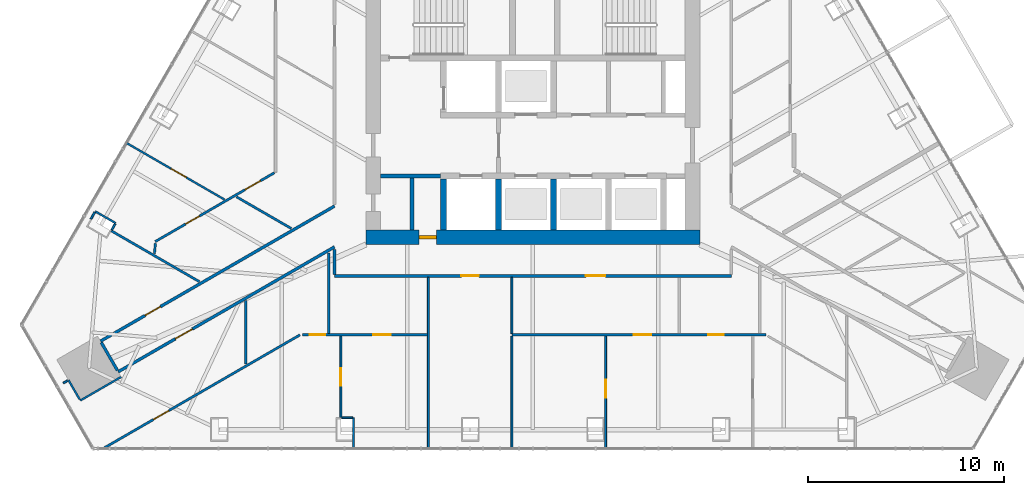
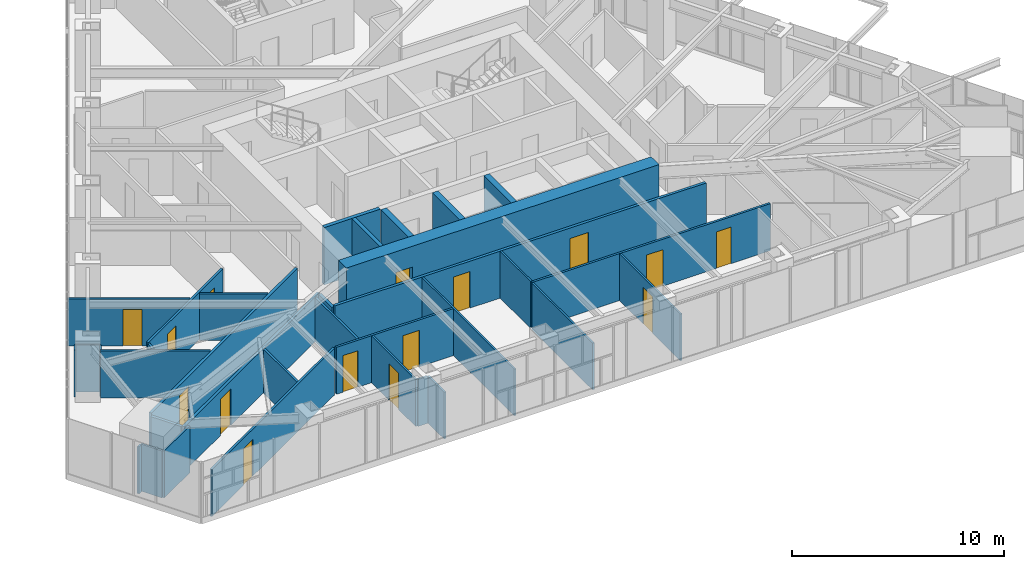
# One storey, part 21 of 26: 34 walls, 15 doors, 15 openings.
"""IFC4 building model written with IfcOpenShell, lengths in metres."""

from ifc_helpers import new_model, si_unit, direction, frame, frame_2d, origin, place, context, subcontext, project, spatial, rectangle, extrude, material, layer, layer_set, type_object, element, fill, save


model = new_model("IFC4")

# Units and contexts
model_context = context("Model", 3, precision=1e-05, world=origin(), true_north=direction((0.0, 1.0)))
body_context = subcontext(model_context, "Body", "Model", "MODEL_VIEW")
ifc_project = project(units=[si_unit("LENGTHUNIT", "METRE"), si_unit("AREAUNIT", "SQUARE_METRE"), si_unit("VOLUMEUNIT", "CUBIC_METRE"), si_unit("PLANEANGLEUNIT", "RADIAN"), si_unit("MASSUNIT", "GRAM", prefix="KILO")], contexts=[model_context])

# Site, building, storey
site_placement = place(None, origin())
site = spatial("IfcSite", under=ifc_project, at=site_placement, CompositionType="ELEMENT")
building_placement = place(site_placement, origin())
building = spatial("IfcBuilding", under=site, at=building_placement, Name="Firuza Gate Tower and Library", CompositionType="ELEMENT")
storey_placement = place(building_placement, frame((0.0, 0.0, 288.10009765625)))
storey = spatial("IfcBuildingStorey", under=building, at=storey_placement, Name="L69", CompositionType="ELEMENT", Elevation=288.10009765625)

# Walls
ifc_material_1 = material(Name="Plasterboard on steel studs", Category="steel")
ifc_layer_1 = layer(ifc_material_1, 0.199951171875)
ifc_layer_set_1 = layer_set([ifc_layer_1], Name="Core partition 200 EI 120")
wall_type_1 = type_object("IfcWallType", Name="Core partition 200 EI 120", PredefinedType="PARTITIONING", material=ifc_layer_set_1)
wall_1_placement = place(storey_placement, frame((67.25, 71.75, 0.0), z_axis=(0.0, 0.0, 1.0), x_axis=(1.0, 0.0, 0.0)))
element("IfcWall", 1, at=wall_1_placement, inside=storey, type_object=wall_type_1, Name="Core partition L69 1", PredefinedType="PARTITIONING", context=body_context, shape_type="SweptSolid", body=[
    extrude(rectangle(XDim=3.050048828125, YDim=0.199951171875, at=frame_2d((1.52490234375, 0.0))), origin(), (0.0, 0.0, 1.0), 3.2998046875),
])
wall_2_placement = place(storey_placement, frame((68.85009765625, 69.0, 0.0), z_axis=(0.0, 0.0, 1.0), x_axis=(0.0, 1.0, 0.0)))
element("IfcWall", 2, at=wall_2_placement, inside=storey, type_object=wall_type_1, Name="Core partition L69 4", PredefinedType="PARTITIONING", context=body_context, shape_type="SweptSolid", body=[
    extrude(rectangle(XDim=2.64990234375, YDim=0.199951171875, at=frame_2d((1.324951171875, 0.0))), origin(), (0.0, 0.0, 1.0), 3.2998046875),
])
ifc_material_2 = material(Name="Concrete C60/75", Category="concrete")
ifc_layer_2 = layer(ifc_material_2, 0.300048828125)
ifc_layer_set_2 = layer_set([ifc_layer_2], Name="Core wall 300 C60/75")
wall_type_2 = type_object("IfcWallType", Name="Core wall 300 C60/75", PredefinedType="SHEAR", material=ifc_layer_set_2)
for number, where, z_axis, x_axis, name in (
    (3, (70.449951171875, 69.0, 0.0), (0.0, 0.0, 1.0), (0.0, 1.0, 0.0), "Core wall L69 7"),
    (4, (73.25, 69.0, 0.0), (0.0, 0.0, 1.0), (0.0, 1.0, 0.0), "Core wall L69 9"),
    (5, (76.050048828125, 69.0, 0.0), (0.0, 0.0, 1.0), (0.0, 1.0, 0.0), "Core wall L69 11"),
):
    element("IfcWall", number, at=place(storey_placement, frame(where, z_axis=z_axis, x_axis=x_axis)), inside=storey, type_object=wall_type_2, Name=name, PredefinedType="SHEAR", context=body_context, shape_type="SweptSolid", body=[
        extrude(rectangle(XDim=2.60009765625, YDim=0.300048828125, at=frame_2d((1.300048828125, 0.0))), origin(), (0.0, 0.0, 1.0), 3.2998046875),
    ])

# Wall, opening, door
ifc_material_3 = material(Name="Concrete C60/75", Category="concrete")
ifc_layer_3 = layer(ifc_material_3, 0.75)
ifc_layer_set_3 = layer_set([ifc_layer_3], Name="Core wall 750 C60/75")
wall_type_3 = type_object("IfcWallType", Name="Core wall 750 C60/75", PredefinedType="SHEAR", material=ifc_layer_set_3)
wall_3_placement = place(storey_placement, frame((66.5, 68.625, 0.0), z_axis=(0.0, 0.0, 1.0), x_axis=(1.0, 0.0, 0.0)))
wall_3 = element("IfcWall", 6, at=wall_3_placement, inside=storey, type_object=wall_type_3, Name="Core wall L69 1", PredefinedType="SHEAR", context=body_context, shape_type="SweptSolid", body=[
    extrude(rectangle(XDim=17.0, YDim=0.75, at=frame_2d((8.5, 0.0))), origin(), (0.0, 0.0, 1.0), 3.2998046875),
])
opening_1_placement = place(wall_3_placement, frame((2.699951171875, 0.0, 0.0)))
opening_1 = element("IfcOpeningElement", 7, at=opening_1_placement, cuts=wall_3, Name="Opening L69-K18", PredefinedType="OPENING", context=body_context, shape_type="SweptSolid", body=[
    extrude(rectangle(XDim=0.89990234375, YDim=2.10009765625, at=frame_2d((0.449951171875, 1.050048828125))), frame((0.0, 0.385009765625, 0.0), z_axis=(0.0, -1.0, 0.0), x_axis=(1.0, 0.0, 0.0)), (0.0, 0.0, 1.0), 0.77001953125),
])
ifc_material_4 = material(Name="Steel", Category="steel")
door_type_1 = type_object("IfcDoorType", Name="Fire door 900x2100 FD30S", OperationType="NOTDEFINED", PredefinedType="DOOR", material=ifc_material_4)
door_1_placement = place(opening_1_placement, origin())
door_1 = element("IfcDoor", 8, at=door_1_placement, inside=storey, type_object=door_type_1, Name="Door L69-K18", OperationType="SINGLE_SWING_LEFT", OverallHeight=2.10009765625, OverallWidth=0.89990234375, PredefinedType="DOOR", context=body_context, shape_type="SweptSolid", body=[
    extrude(rectangle(XDim=0.89990234375, YDim=2.10009765625, at=frame_2d((0.449951171875, 1.050048828125))), frame((0.0, 0.094970703125, 0.0), z_axis=(0.0, -1.0, 0.0), x_axis=(1.0, 0.0, 0.0)), (0.0, 0.0, 1.0), 0.18994140625),
])
fill(opening_1, door_1)

# Wall, openings, doors
ifc_material_5 = material(Name="Gypsum board partition")
ifc_layer_4 = layer(ifc_material_5, 0.14990234375)
ifc_layer_set_4 = layer_set([ifc_layer_4], Name="Corridor wall 150 double board on steel studs")
wall_type_4 = type_object("IfcWallType", Name="Corridor wall 150 double board on steel studs", PredefinedType="PARTITIONING", material=ifc_layer_set_4)
wall_4_placement = place(storey_placement, frame((85.10009765625, 66.64990234375, 0.0), z_axis=(0.0, 0.0, 1.0), x_axis=(-1.0, 0.0, 0.0)))
wall_4 = element("IfcWall", 9, at=wall_4_placement, inside=storey, type_object=wall_type_4, Name="f:L69:w004", PredefinedType="PARTITIONING", context=body_context, shape_type="SweptSolid", body=[
    extrude(rectangle(XDim=20.2001953125, YDim=0.14990234375, at=frame_2d((10.10009765625, 0.0))), origin(), (0.0, 0.0, 1.0), 2.699951171875),
])
opening_2_placement = place(wall_4_placement, frame((6.4052734375, 0.0, 0.0)))
opening_2 = element("IfcOpeningElement", 10, at=opening_2_placement, cuts=wall_4, Name="Opening L69-05", PredefinedType="OPENING", context=body_context, shape_type="SweptSolid", body=[
    extrude(rectangle(XDim=1.0, YDim=2.10009765625, at=frame_2d((0.5, 1.050048828125))), frame((0.0, 0.0849609375, 0.0), z_axis=(0.0, -1.0, 0.0), x_axis=(1.0, 0.0, 0.0)), (0.0, 0.0, 1.0), 0.169921875),
])
opening_3_placement = place(wall_4_placement, frame((12.8447265625, 0.0, 0.0)))
opening_3 = element("IfcOpeningElement", 11, at=opening_3_placement, cuts=wall_4, Name="Opening L69-06", PredefinedType="OPENING", context=body_context, shape_type="SweptSolid", body=[
    extrude(rectangle(XDim=0.89990234375, YDim=2.10009765625, at=frame_2d((0.449951171875, 1.050048828125))), frame((0.0, 0.0849609375, 0.0), z_axis=(0.0, -1.0, 0.0), x_axis=(1.0, 0.0, 0.0)), (0.0, 0.0, 1.0), 0.169921875),
])
ifc_material_6 = material(Name="Steel door and timber leaf", Category="steel")
door_type_2 = type_object("IfcDoorType", Name="Fire door 1000 x 2100 steel frame, timber leaf", OperationType="NOTDEFINED", PredefinedType="DOOR", material=ifc_material_6)
door_2_placement = place(opening_2_placement, origin())
door_2 = element("IfcDoor", 12, at=door_2_placement, inside=storey, type_object=door_type_2, Name="f:L69:d005", OperationType="SINGLE_SWING_RIGHT", OverallHeight=2.10009765625, OverallWidth=1.0, PredefinedType="DOOR", context=body_context, shape_type="SweptSolid", body=[
    extrude(rectangle(XDim=1.0, YDim=2.10009765625, at=frame_2d((0.5, 1.050048828125))), frame((0.0, 0.02490234375, 0.0), z_axis=(0.0, -1.0, 0.0), x_axis=(1.0, 0.0, 0.0)), (0.0, 0.0, 1.0), 0.050048828125),
])
fill(opening_2, door_2)
ifc_material_7 = material(Name="Steel door and timber leaf", Category="steel")
door_type_3 = type_object("IfcDoorType", Name="Fire door 900 x 2100 steel frame, timber leaf", OperationType="NOTDEFINED", PredefinedType="DOOR", material=ifc_material_7)
door_3_placement = place(opening_3_placement, origin())
door_3 = element("IfcDoor", 13, at=door_3_placement, inside=storey, type_object=door_type_3, Name="f:L69:d006", OperationType="SINGLE_SWING_LEFT", OverallHeight=2.10009765625, OverallWidth=0.89990234375, PredefinedType="DOOR", context=body_context, shape_type="SweptSolid", body=[
    extrude(rectangle(XDim=0.89990234375, YDim=2.10009765625, at=frame_2d((0.449951171875, 1.050048828125))), frame((0.0, 0.02490234375, 0.0), z_axis=(0.0, -1.0, 0.0), x_axis=(1.0, 0.0, 0.0)), (0.0, 0.0, 1.0), 0.050048828125),
])
fill(opening_3, door_3)

# Wall, opening, door
wall_5_placement = place(storey_placement, frame((64.89990234375, 68.129638671875, 0.0), z_axis=(0.0, 0.0, 1.0), x_axis=(-0.866023199005, -0.500003818771, 0.0)))
wall_5 = element("IfcWall", 14, at=wall_5_placement, inside=storey, type_object=wall_type_4, Name="f:L69:w024", PredefinedType="PARTITIONING", context=body_context, shape_type="SweptSolid", body=[
    extrude(rectangle(XDim=12.71875, YDim=0.14990234375, at=frame_2d((6.359375, 0.0))), origin(), (0.0, 0.0, 1.0), 2.546875),
])
opening_4_placement = place(wall_5_placement, frame((8.36376953125, 0.0, 0.0)))
opening_4 = element("IfcOpeningElement", 15, at=opening_4_placement, cuts=wall_5, Name="Opening L69-12", PredefinedType="OPENING", context=body_context, shape_type="SweptSolid", body=[
    extrude(rectangle(XDim=1.0, YDim=2.10009765625, at=frame_2d((0.5, 1.050048828125))), frame((0.0, 0.0849609375, 0.0), z_axis=(0.0, -1.0, 0.0), x_axis=(1.0, 0.0, 0.0)), (0.0, 0.0, 1.0), 0.169921875),
])
door_4_placement = place(opening_4_placement, origin())
door_4 = element("IfcDoor", 16, at=door_4_placement, inside=storey, type_object=door_type_2, Name="f:L69:d012", OperationType="SINGLE_SWING_LEFT", OverallHeight=2.10009765625, OverallWidth=1.0, PredefinedType="DOOR", context=body_context, shape_type="SweptSolid", body=[
    extrude(rectangle(XDim=1.0, YDim=2.10009765625, at=frame_2d((0.5, 1.050048828125))), frame((0.0, 0.02490234375, 0.0), z_axis=(0.0, -1.0, 0.0), x_axis=(1.0, 0.0, 0.0)), (0.0, 0.0, 1.0), 0.050048828125),
])
fill(opening_4, door_4)

wall_6_placement = place(storey_placement, frame((52.98583984375, 63.3291015625, 0.0), z_axis=(0.0, 0.0, 1.0), x_axis=(0.866027482275, 0.499996399932, 0.0)))
wall_6 = element("IfcWall", 17, at=wall_6_placement, inside=storey, type_object=wall_type_4, Name="f:L69:w026", PredefinedType="PARTITIONING", context=body_context, shape_type="SweptSolid", body=[
    extrude(rectangle(XDim=13.75732421875, YDim=0.14990234375, at=frame_2d((6.878662109375, 0.0))), origin(), (0.0, 0.0, 1.0), 2.699951171875),
])
opening_5_placement = place(wall_6_placement, frame((2.61962890625, 0.0, 0.0)))
opening_5 = element("IfcOpeningElement", 18, at=opening_5_placement, cuts=wall_6, Name="Opening L69-13", PredefinedType="OPENING", context=body_context, shape_type="SweptSolid", body=[
    extrude(rectangle(XDim=0.89990234375, YDim=2.10009765625, at=frame_2d((0.449951171875, 1.050048828125))), frame((0.0, 0.0849609375, 0.0), z_axis=(0.0, -1.0, 0.0), x_axis=(1.0, 0.0, 0.0)), (0.0, 0.0, 1.0), 0.169921875),
])
door_5_placement = place(opening_5_placement, origin())
door_5 = element("IfcDoor", 19, at=door_5_placement, inside=storey, type_object=door_type_3, Name="f:L69:d013", OperationType="SINGLE_SWING_LEFT", OverallHeight=2.10009765625, OverallWidth=0.89990234375, PredefinedType="DOOR", context=body_context, shape_type="SweptSolid", body=[
    extrude(rectangle(XDim=0.89990234375, YDim=2.10009765625, at=frame_2d((0.449951171875, 1.050048828125))), frame((0.0, 0.02490234375, 0.0), z_axis=(0.0, -1.0, 0.0), x_axis=(1.0, 0.0, 0.0)), (0.0, 0.0, 1.0), 0.050048828125),
])
fill(opening_5, door_5)

# Walls
wall_7_placement = place(storey_placement, frame((64.89990234375, 66.72509765625, 0.0), z_axis=(0.0, 0.0, 1.0), x_axis=(0.0, 1.0, 0.0)))
element("IfcWall", 20, at=wall_7_placement, inside=storey, type_object=wall_type_4, Name="f:L69:w057", PredefinedType="PARTITIONING", context=body_context, shape_type="SweptSolid", body=[
    extrude(rectangle(XDim=1.267822265625, YDim=0.14990234375, at=frame_2d((0.6337890625, 0.0))), origin(), (0.0, 0.0, 1.0), 2.546875),
])
wall_8_placement = place(storey_placement, frame((53.844970703125, 61.83984375, 0.0), z_axis=(0.0, 0.0, 1.0), x_axis=(-0.499988108725, 0.866032269107, 0.0)))
element("IfcWall", 21, at=wall_8_placement, inside=storey, type_object=wall_type_4, Name="f:L69:w062", PredefinedType="PARTITIONING", context=body_context, shape_type="SweptSolid", body=[
    extrude(rectangle(XDim=1.64404296875, YDim=0.14990234375, at=frame_2d((0.822021484375, 0.0))), origin(), (0.0, 0.0, 1.0), 2.546875),
])
ifc_material_8 = material(Name="Gypsum board partition")
ifc_layer_5 = layer(ifc_material_8, 0.10009765625)
ifc_layer_set_5 = layer_set([ifc_layer_5], Name="Partition 100 gypsum board on steel studs")
wall_type_5 = type_object("IfcWallType", Name="Partition 100 gypsum board on steel studs", PredefinedType="PARTITIONING", material=ifc_layer_set_5)
wall_9_placement = place(storey_placement, frame((65.268310546875, 59.431884765625, 0.0), z_axis=(0.0, 0.0, 1.0), x_axis=(1.0, 0.0, 0.0)))
element("IfcWall", 22, at=wall_9_placement, inside=storey, type_object=wall_type_5, Name="f:L69:w000", PredefinedType="PARTITIONING", context=body_context, shape_type="SweptSolid", body=[
    extrude(rectangle(XDim=0.547607421875, YDim=0.10009765625, at=frame_2d((0.27392578125, 0.0))), origin(), (0.0, 0.0, 1.0), 2.699951171875),
])
wall_10_placement = place(storey_placement, frame((51.957275390625, 60.310791015625, 0.0), z_axis=(0.0, 0.0, 1.0), x_axis=(0.866036455013, 0.499980858223, 0.0)))
element("IfcWall", 23, at=wall_10_placement, inside=storey, type_object=wall_type_5, Name="f:L69:w022", PredefinedType="PARTITIONING", context=body_context, shape_type="SweptSolid", body=[
    extrude(rectangle(XDim=2.39892578125, YDim=0.10009765625, at=frame_2d((1.199462890625, 0.0))), origin(), (0.0, 0.0, 1.0), 2.699951171875),
])
wall_11_placement = place(storey_placement, frame((51.09716796875, 61.19970703125, 0.0), z_axis=(0.0, 0.0, 1.0), x_axis=(0.866006330792, 0.500033033937, 0.0)))
element("IfcWall", 24, at=wall_11_placement, inside=storey, type_object=wall_type_5, Name="f:L69:w025", PredefinedType="PARTITIONING", context=body_context, shape_type="SweptSolid", body=[
    extrude(rectangle(XDim=0.24951171875, YDim=0.10009765625, at=frame_2d((0.124755859375, 0.0))), origin(), (0.0, 0.0, 1.0), 2.699951171875),
])
wall_12_placement = place(storey_placement, frame((53.561279296875, 69.0029296875, 0.0), z_axis=(0.0, 0.0, 1.0), x_axis=(0.500241622161, 0.865885858216, 0.0)))
element("IfcWall", 25, at=wall_12_placement, inside=storey, type_object=wall_type_5, Name="f:L69:w030", PredefinedType="PARTITIONING", context=body_context, shape_type="SweptSolid", body=[
    extrude(rectangle(XDim=0.339111328125, YDim=0.10009765625, at=frame_2d((0.16943359375, 0.0))), origin(), (0.0, 0.0, 1.0), 2.699951171875),
])
wall_13_placement = place(storey_placement, frame((52.491455078125, 69.551025390625, 0.0), z_axis=(0.0, 0.0, 1.0), x_axis=(0.499951716245, 0.866053278629, 0.0)))
element("IfcWall", 26, at=wall_13_placement, inside=storey, type_object=wall_type_5, Name="f:L69:w032", PredefinedType="PARTITIONING", context=body_context, shape_type="SweptSolid", body=[
    extrude(rectangle(XDim=0.3994140625, YDim=0.10009765625, at=frame_2d((0.19970703125, 0.0))), origin(), (0.0, 0.0, 1.0), 2.699951171875),
])

# Wall, opening, door
wall_14_placement = place(storey_placement, frame((78.7060546875, 57.8720703125, 0.0), z_axis=(0.0, 0.0, 1.0), x_axis=(0.0, 1.0, 0.0)))
wall_14 = element("IfcWall", 27, at=wall_14_placement, inside=storey, type_object=wall_type_5, Name="f:L69:w045", PredefinedType="PARTITIONING", context=body_context, shape_type="SweptSolid", body=[
    extrude(rectangle(XDim=5.718017578125, YDim=0.10009765625, at=frame_2d((2.85888671875, 0.0))), origin(), (0.0, 0.0, 1.0), 2.68798828125),
])
opening_6_placement = place(wall_14_placement, frame((2.589111328125, 0.0, 0.0)))
opening_6 = element("IfcOpeningElement", 28, at=opening_6_placement, cuts=wall_14, Name="Opening L69-20", PredefinedType="OPENING", context=body_context, shape_type="SweptSolid", body=[
    extrude(rectangle(XDim=0.89990234375, YDim=2.10009765625, at=frame_2d((0.449951171875, 1.050048828125))), frame((0.0, 0.06005859375, 0.0), z_axis=(0.0, -1.0, 0.0), x_axis=(1.0, 0.0, 0.0)), (0.0, 0.0, 1.0), 0.1201171875),
])
ifc_material_9 = material(Name="Timber door", Category="wood")
door_type_4 = type_object("IfcDoorType", Name="Door 900 x 2100 timber leaf", OperationType="NOTDEFINED", PredefinedType="DOOR", material=ifc_material_9)
door_6_placement = place(opening_6_placement, origin())
door_6 = element("IfcDoor", 29, at=door_6_placement, inside=storey, type_object=door_type_4, Name="f:L69:d020", OperationType="SINGLE_SWING_LEFT", OverallHeight=2.10009765625, OverallWidth=0.89990234375, PredefinedType="DOOR", context=body_context, shape_type="SweptSolid", body=[
    extrude(rectangle(XDim=0.89990234375, YDim=2.10009765625, at=frame_2d((0.449951171875, 1.050048828125))), frame((0.0, 0.02490234375, 0.0), z_axis=(0.0, -1.0, 0.0), x_axis=(1.0, 0.0, 0.0)), (0.0, 0.0, 1.0), 0.050048828125),
])
fill(opening_6, door_6)

# Walls
wall_15_placement = place(storey_placement, frame((73.93505859375, 57.8720703125, 0.0), z_axis=(0.0, 0.0, 1.0), x_axis=(0.0, 1.0, 0.0)))
element("IfcWall", 30, at=wall_15_placement, inside=storey, type_object=wall_type_5, Name="f:L69:w051", PredefinedType="PARTITIONING", context=body_context, shape_type="SweptSolid", body=[
    extrude(rectangle(XDim=5.718017578125, YDim=0.10009765625, at=frame_2d((2.85888671875, 0.0))), origin(), (0.0, 0.0, 1.0), 2.68798828125),
])
wall_16_placement = place(storey_placement, frame((69.676025390625, 57.8720703125, 0.0), z_axis=(0.0, 0.0, 1.0), x_axis=(0.0, 1.0, 0.0)))
element("IfcWall", 31, at=wall_16_placement, inside=storey, type_object=wall_type_5, Name="f:L69:w054", PredefinedType="PARTITIONING", context=body_context, shape_type="SweptSolid", body=[
    extrude(rectangle(XDim=8.702880859375, YDim=0.10009765625, at=frame_2d((4.3515625, 0.0))), origin(), (0.0, 0.0, 1.0), 2.68798828125),
])
wall_17_placement = place(storey_placement, frame((65.865966796875, 57.8720703125, 0.0), z_axis=(0.0, 0.0, 1.0), x_axis=(0.0, 1.0, 0.0)))
element("IfcWall", 32, at=wall_17_placement, inside=storey, type_object=wall_type_5, Name="f:L69:w055", PredefinedType="PARTITIONING", context=body_context, shape_type="SweptSolid", body=[
    extrude(rectangle(XDim=1.559814453125, YDim=0.10009765625, at=frame_2d((0.77978515625, 0.0))), origin(), (0.0, 0.0, 1.0), 2.68798828125),
])

# Wall, opening, door
wall_18_placement = place(storey_placement, frame((65.218017578125, 63.590087890625, 0.0), z_axis=(0.0, 0.0, 1.0), x_axis=(0.0, -1.0, 0.0)))
wall_18 = element("IfcWall", 33, at=wall_18_placement, inside=storey, type_object=wall_type_5, Name="f:L69:w056", PredefinedType="PARTITIONING", context=body_context, shape_type="SweptSolid", body=[
    extrude(rectangle(XDim=4.158203125, YDim=0.10009765625, at=frame_2d((2.0791015625, 0.0))), origin(), (0.0, 0.0, 1.0), 2.699951171875),
])
opening_7_placement = place(wall_18_placement, frame((1.62890625, 0.0, 0.0)))
opening_7 = element("IfcOpeningElement", 34, at=opening_7_placement, cuts=wall_18, Name="Opening L69-21", PredefinedType="OPENING", context=body_context, shape_type="SweptSolid", body=[
    extrude(rectangle(XDim=0.89990234375, YDim=2.10009765625, at=frame_2d((0.449951171875, 1.050048828125))), frame((0.0, 0.06005859375, 0.0), z_axis=(0.0, -1.0, 0.0), x_axis=(1.0, 0.0, 0.0)), (0.0, 0.0, 1.0), 0.1201171875),
])
door_7_placement = place(opening_7_placement, origin())
door_7 = element("IfcDoor", 35, at=door_7_placement, inside=storey, type_object=door_type_4, Name="f:L69:d021", OperationType="SINGLE_SWING_RIGHT", OverallHeight=2.10009765625, OverallWidth=0.89990234375, PredefinedType="DOOR", context=body_context, shape_type="SweptSolid", body=[
    extrude(rectangle(XDim=0.89990234375, YDim=2.10009765625, at=frame_2d((0.449951171875, 1.050048828125))), frame((0.0, 0.02490234375, 0.0), z_axis=(0.0, -1.0, 0.0), x_axis=(1.0, 0.0, 0.0)), (0.0, 0.0, 1.0), 0.050048828125),
])
fill(opening_7, door_7)

# Wall
wall_19_placement = place(storey_placement, frame((51.931396484375, 60.35400390625, 0.0), z_axis=(0.0, 0.0, 1.0), x_axis=(-0.499955427682, 0.866051136095, 0.0)))
element("IfcWall", 36, at=wall_19_placement, inside=storey, type_object=wall_type_5, Name="f:L69:w063", PredefinedType="PARTITIONING", context=body_context, shape_type="SweptSolid", body=[
    extrude(rectangle(XDim=1.14892578125, YDim=0.10009765625, at=frame_2d((0.574462890625, 0.0))), origin(), (0.0, 0.0, 1.0), 2.699951171875),
])

# Wall, opening, door
wall_20_placement = place(storey_placement, frame((59.30126953125, 70.538818359375, 0.0), z_axis=(0.0, 0.0, 1.0), x_axis=(-0.866021213215, 0.500007258209, 0.0)))
wall_20 = element("IfcWall", 37, at=wall_20_placement, inside=storey, type_object=wall_type_5, Name="f:L69:w078", PredefinedType="PARTITIONING", context=body_context, shape_type="SweptSolid", body=[
    extrude(rectangle(XDim=5.76318359375, YDim=0.10009765625, at=frame_2d((2.881591796875, 0.0))), origin(), (0.0, 0.0, 1.0), 2.699951171875),
])
opening_8_placement = place(wall_20_placement, frame((2.251708984375, 0.0, 0.0)))
opening_8 = element("IfcOpeningElement", 38, at=opening_8_placement, cuts=wall_20, Name="Opening L69-33", PredefinedType="OPENING", context=body_context, shape_type="SweptSolid", body=[
    extrude(rectangle(XDim=0.89990234375, YDim=2.10009765625, at=frame_2d((0.449951171875, 1.050048828125))), frame((0.0, 0.06005859375, 0.0), z_axis=(0.0, -1.0, 0.0), x_axis=(1.0, 0.0, 0.0)), (0.0, 0.0, 1.0), 0.1201171875),
])
door_8_placement = place(opening_8_placement, origin())
door_8 = element("IfcDoor", 39, at=door_8_placement, inside=storey, type_object=door_type_4, Name="f:L69:d033", OperationType="SINGLE_SWING_LEFT", OverallHeight=2.10009765625, OverallWidth=0.89990234375, PredefinedType="DOOR", context=body_context, shape_type="SweptSolid", body=[
    extrude(rectangle(XDim=0.89990234375, YDim=2.10009765625, at=frame_2d((0.449951171875, 1.050048828125))), frame((0.0, 0.02490234375, 0.0), z_axis=(0.0, -1.0, 0.0), x_axis=(1.0, 0.0, 0.0)), (0.0, 0.0, 1.0), 0.050048828125),
])
fill(opening_8, door_8)

# Walls
wall_21_placement = place(storey_placement, frame((53.755859375, 69.341064453125, 0.0), z_axis=(0.0, 0.0, 1.0), x_axis=(-0.866066905393, 0.499928110214, 0.0)))
element("IfcWall", 40, at=wall_21_placement, inside=storey, type_object=wall_type_5, Name="f:L69:w079", PredefinedType="PARTITIONING", context=body_context, shape_type="SweptSolid", body=[
    extrude(rectangle(XDim=1.198974609375, YDim=0.10009765625, at=frame_2d((0.599609375, 0.0))), origin(), (0.0, 0.0, 1.0), 2.699951171875),
])
wall_22_placement = place(storey_placement, frame((73.93505859375, 63.7099609375, 0.0), z_axis=(0.0, 0.0, 1.0), x_axis=(0.0, 1.0, 0.0)))
element("IfcWall", 41, at=wall_22_placement, inside=storey, type_object=wall_type_5, Name="f:L69:w081", PredefinedType="PARTITIONING", context=body_context, shape_type="SweptSolid", body=[
    extrude(rectangle(XDim=2.864990234375, YDim=0.10009765625, at=frame_2d((1.4326171875, 0.0))), origin(), (0.0, 0.0, 1.0), 2.699951171875),
])

# Wall, openings, doors
ifc_material_10 = material(Name="Gypsum board partition")
ifc_layer_6 = layer(ifc_material_10, 0.1201171875)
ifc_layer_set_6 = layer_set([ifc_layer_6], Name="Wet-area partition 120 moisture-resistant board")
wall_type_6 = type_object("IfcWallType", Name="Wet-area partition 120 moisture-resistant board", PredefinedType="PARTITIONING", material=ifc_layer_set_6)
wall_23_placement = place(storey_placement, frame((63.26123046875, 63.64990234375, 0.0), z_axis=(0.0, 0.0, 1.0), x_axis=(1.0, 0.0, 0.0)))
wall_23 = element("IfcWall", 42, at=wall_23_placement, inside=storey, type_object=wall_type_6, Name="f:L69:w002", PredefinedType="PARTITIONING", context=body_context, shape_type="SweptSolid", body=[
    extrude(rectangle(XDim=6.3642578125, YDim=0.1201171875, at=frame_2d((3.18212890625, 0.0))), origin(), (0.0, 0.0, 1.0), 2.699951171875),
])
opening_9_placement = place(wall_23_placement, frame((0.369873046875, 0.0, 0.0)))
opening_9 = element("IfcOpeningElement", 43, at=opening_9_placement, cuts=wall_23, Name="Opening L69-01", PredefinedType="OPENING", context=body_context, shape_type="SweptSolid", body=[
    extrude(rectangle(XDim=0.800048828125, YDim=2.10009765625, at=frame_2d((0.39990234375, 1.050048828125))), frame((0.0, 0.070068359375, 0.0), z_axis=(0.0, -1.0, 0.0), x_axis=(1.0, 0.0, 0.0)), (0.0, 0.0, 1.0), 0.14013671875),
])
opening_10_placement = place(wall_23_placement, frame((3.609130859375, 0.0, 0.0)))
opening_10 = element("IfcOpeningElement", 44, at=opening_10_placement, cuts=wall_23, Name="Opening L69-02", PredefinedType="OPENING", context=body_context, shape_type="SweptSolid", body=[
    extrude(rectangle(XDim=0.89990234375, YDim=2.10009765625, at=frame_2d((0.449951171875, 1.050048828125))), frame((0.0, 0.070068359375, 0.0), z_axis=(0.0, -1.0, 0.0), x_axis=(1.0, 0.0, 0.0)), (0.0, 0.0, 1.0), 0.14013671875),
])
ifc_material_11 = material(Name="Timber door", Category="wood")
door_type_5 = type_object("IfcDoorType", Name="Door 800 x 2100 timber leaf", OperationType="NOTDEFINED", PredefinedType="DOOR", material=ifc_material_11)
door_9_placement = place(opening_9_placement, origin())
door_9 = element("IfcDoor", 45, at=door_9_placement, inside=storey, type_object=door_type_5, Name="f:L69:d001", OperationType="SINGLE_SWING_RIGHT", OverallHeight=2.10009765625, OverallWidth=0.800048828125, PredefinedType="DOOR", context=body_context, shape_type="SweptSolid", body=[
    extrude(rectangle(XDim=0.800048828125, YDim=2.10009765625, at=frame_2d((0.39990234375, 1.050048828125))), frame((0.0, 0.02490234375, 0.0), z_axis=(0.0, -1.0, 0.0), x_axis=(1.0, 0.0, 0.0)), (0.0, 0.0, 1.0), 0.050048828125),
])
fill(opening_9, door_9)
door_10_placement = place(opening_10_placement, origin())
door_10 = element("IfcDoor", 46, at=door_10_placement, inside=storey, type_object=door_type_4, Name="f:L69:d002", OperationType="SINGLE_SWING_LEFT", OverallHeight=2.10009765625, OverallWidth=0.89990234375, PredefinedType="DOOR", context=body_context, shape_type="SweptSolid", body=[
    extrude(rectangle(XDim=0.89990234375, YDim=2.10009765625, at=frame_2d((0.449951171875, 1.050048828125))), frame((0.0, 0.02490234375, 0.0), z_axis=(0.0, -1.0, 0.0), x_axis=(1.0, 0.0, 0.0)), (0.0, 0.0, 1.0), 0.050048828125),
])
fill(opening_10, door_10)

wall_24_placement = place(storey_placement, frame((73.93505859375, 63.64990234375, 0.0), z_axis=(0.0, 0.0, 1.0), x_axis=(1.0, 0.0, 0.0)))
wall_24 = element("IfcWall", 47, at=wall_24_placement, inside=storey, type_object=wall_type_6, Name="f:L69:w003", PredefinedType="PARTITIONING", context=body_context, shape_type="SweptSolid", body=[
    extrude(rectangle(XDim=12.923828125, YDim=0.1201171875, at=frame_2d((6.4619140625, 0.0))), origin(), (0.0, 0.0, 1.0), 2.699951171875),
])
opening_11_placement = place(wall_24_placement, frame((6.196533203125, 0.0, 0.0)))
opening_11 = element("IfcOpeningElement", 48, at=opening_11_placement, cuts=wall_24, Name="Opening L69-03", PredefinedType="OPENING", context=body_context, shape_type="SweptSolid", body=[
    extrude(rectangle(XDim=0.89990234375, YDim=2.10009765625, at=frame_2d((0.449951171875, 1.050048828125))), frame((0.0, 0.070068359375, 0.0), z_axis=(0.0, -1.0, 0.0), x_axis=(1.0, 0.0, 0.0)), (0.0, 0.0, 1.0), 0.14013671875),
])
opening_12_placement = place(wall_24_placement, frame((9.994873046875, 0.0, 0.0)))
opening_12 = element("IfcOpeningElement", 49, at=opening_12_placement, cuts=wall_24, Name="Opening L69-04", PredefinedType="OPENING", context=body_context, shape_type="SweptSolid", body=[
    extrude(rectangle(XDim=0.800048828125, YDim=2.10009765625, at=frame_2d((0.39990234375, 1.050048828125))), frame((0.0, 0.070068359375, 0.0), z_axis=(0.0, -1.0, 0.0), x_axis=(1.0, 0.0, 0.0)), (0.0, 0.0, 1.0), 0.14013671875),
])
door_11_placement = place(opening_12_placement, origin())
door_11 = element("IfcDoor", 50, at=door_11_placement, inside=storey, type_object=door_type_5, Name="f:L69:d004", OperationType="SINGLE_SWING_LEFT", OverallHeight=2.10009765625, OverallWidth=0.800048828125, PredefinedType="DOOR", context=body_context, shape_type="SweptSolid", body=[
    extrude(rectangle(XDim=0.800048828125, YDim=2.10009765625, at=frame_2d((0.39990234375, 1.050048828125))), frame((0.0, 0.02490234375, 0.0), z_axis=(0.0, -1.0, 0.0), x_axis=(1.0, 0.0, 0.0)), (0.0, 0.0, 1.0), 0.050048828125),
])
fill(opening_12, door_11)
door_12_placement = place(opening_11_placement, origin())
door_12 = element("IfcDoor", 51, at=door_12_placement, inside=storey, type_object=door_type_4, Name="f:L69:d003", OperationType="SINGLE_SWING_RIGHT", OverallHeight=2.10009765625, OverallWidth=0.89990234375, PredefinedType="DOOR", context=body_context, shape_type="SweptSolid", body=[
    extrude(rectangle(XDim=0.89990234375, YDim=2.10009765625, at=frame_2d((0.449951171875, 1.050048828125))), frame((0.0, 0.02490234375, 0.0), z_axis=(0.0, -1.0, 0.0), x_axis=(1.0, 0.0, 0.0)), (0.0, 0.0, 1.0), 0.050048828125),
])
fill(opening_11, door_12)

# Wall, opening, door
wall_25_placement = place(storey_placement, frame((63.14111328125, 63.650146484375, 0.0), z_axis=(0.0, 0.0, 1.0), x_axis=(-0.866023045711, -0.500004084281, 0.0)))
wall_25 = element("IfcWall", 52, at=wall_25_placement, inside=storey, type_object=wall_type_6, Name="f:L69:w021", PredefinedType="PARTITIONING", context=body_context, shape_type="SweptSolid", body=[
    extrude(rectangle(XDim=11.55615234375, YDim=0.1201171875, at=frame_2d((5.778076171875, 0.0))), origin(), (0.0, 0.0, 1.0), 2.699951171875),
])
opening_13_placement = place(wall_25_placement, frame((7.712646484375, 0.0, 0.0)))
opening_13 = element("IfcOpeningElement", 53, at=opening_13_placement, cuts=wall_25, Name="Opening L69-10", PredefinedType="OPENING", context=body_context, shape_type="SweptSolid", body=[
    extrude(rectangle(XDim=0.89990234375, YDim=2.10009765625, at=frame_2d((0.449951171875, 1.050048828125))), frame((0.0, 0.070068359375, 0.0), z_axis=(0.0, -1.0, 0.0), x_axis=(1.0, 0.0, 0.0)), (0.0, 0.0, 1.0), 0.14013671875),
])
door_13_placement = place(opening_13_placement, origin())
door_13 = element("IfcDoor", 54, at=door_13_placement, inside=storey, type_object=door_type_4, Name="f:L69:d010", OperationType="SINGLE_SWING_RIGHT", OverallHeight=2.10009765625, OverallWidth=0.89990234375, PredefinedType="DOOR", context=body_context, shape_type="SweptSolid", body=[
    extrude(rectangle(XDim=0.89990234375, YDim=2.10009765625, at=frame_2d((0.449951171875, 1.050048828125))), frame((0.0, 0.02490234375, 0.0), z_axis=(0.0, -1.0, 0.0), x_axis=(1.0, 0.0, 0.0)), (0.0, 0.0, 1.0), 0.050048828125),
])
fill(opening_13, door_13)

# Wall, openings, doors
wall_26_placement = place(storey_placement, frame((61.83984375, 71.905517578125, 0.0), z_axis=(0.0, 0.0, 1.0), x_axis=(-0.866015603583, -0.500016974063, 0.0)))
wall_26 = element("IfcWall", 55, at=wall_26_placement, inside=storey, type_object=wall_type_6, Name="f:L69:w028", PredefinedType="PARTITIONING", context=body_context, shape_type="SweptSolid", body=[
    extrude(rectangle(XDim=7.008056640625, YDim=0.1201171875, at=frame_2d((3.50390625, 0.0))), origin(), (0.0, 0.0, 1.0), 2.699951171875),
])
opening_14_placement = place(wall_26_placement, frame((0.822265625, 0.0, 0.0)))
opening_14 = element("IfcOpeningElement", 56, at=opening_14_placement, cuts=wall_26, Name="Opening L69-14", PredefinedType="OPENING", context=body_context, shape_type="SweptSolid", body=[
    extrude(rectangle(XDim=0.89990234375, YDim=2.10009765625, at=frame_2d((0.449951171875, 1.050048828125))), frame((0.0, 0.070068359375, 0.0), z_axis=(0.0, -1.0, 0.0), x_axis=(1.0, 0.0, 0.0)), (0.0, 0.0, 1.0), 0.14013671875),
])
opening_15_placement = place(wall_26_placement, frame((4.41845703125, 0.0, 0.0)))
opening_15 = element("IfcOpeningElement", 57, at=opening_15_placement, cuts=wall_26, Name="Opening L69-15", PredefinedType="OPENING", context=body_context, shape_type="SweptSolid", body=[
    extrude(rectangle(XDim=0.800048828125, YDim=2.10009765625, at=frame_2d((0.39990234375, 1.050048828125))), frame((0.0, 0.070068359375, 0.0), z_axis=(0.0, -1.0, 0.0), x_axis=(1.0, 0.0, 0.0)), (0.0, 0.0, 1.0), 0.14013671875),
])
door_14_placement = place(opening_15_placement, origin())
door_14 = element("IfcDoor", 58, at=door_14_placement, inside=storey, type_object=door_type_5, Name="f:L69:d015", OperationType="SINGLE_SWING_LEFT", OverallHeight=2.10009765625, OverallWidth=0.800048828125, PredefinedType="DOOR", context=body_context, shape_type="SweptSolid", body=[
    extrude(rectangle(XDim=0.800048828125, YDim=2.10009765625, at=frame_2d((0.39990234375, 1.050048828125))), frame((0.0, 0.02490234375, 0.0), z_axis=(0.0, -1.0, 0.0), x_axis=(1.0, 0.0, 0.0)), (0.0, 0.0, 1.0), 0.050048828125),
])
fill(opening_15, door_14)
door_15_placement = place(opening_14_placement, origin())
door_15 = element("IfcDoor", 59, at=door_15_placement, inside=storey, type_object=door_type_4, Name="f:L69:d014", OperationType="SINGLE_SWING_LEFT", OverallHeight=2.10009765625, OverallWidth=0.89990234375, PredefinedType="DOOR", context=body_context, shape_type="SweptSolid", body=[
    extrude(rectangle(XDim=0.89990234375, YDim=2.10009765625, at=frame_2d((0.449951171875, 1.050048828125))), frame((0.0, 0.02490234375, 0.0), z_axis=(0.0, -1.0, 0.0), x_axis=(1.0, 0.0, 0.0)), (0.0, 0.0, 1.0), 0.050048828125),
])
fill(opening_14, door_15)

# Walls
wall_27_placement = place(storey_placement, frame((55.729248046875, 67.781494140625, 0.0), z_axis=(0.0, 0.0, 1.0), x_axis=(0.099548724898, 0.995032688594, 0.0)))
element("IfcWall", 60, at=wall_27_placement, inside=storey, type_object=wall_type_6, Name="f:L69:w034", PredefinedType="PARTITIONING", context=body_context, shape_type="SweptSolid", body=[
    extrude(rectangle(XDim=0.537109375, YDim=0.1201171875, at=frame_2d((0.2685546875, 0.0))), origin(), (0.0, 0.0, 1.0), 2.699951171875),
])
wall_28_placement = place(storey_placement, frame((64.60107421875, 63.7099609375, 0.0), z_axis=(0.0, 0.0, 1.0), x_axis=(0.0, 1.0, 0.0)))
element("IfcWall", 61, at=wall_28_placement, inside=storey, type_object=wall_type_6, Name="f:L69:w059", PredefinedType="PARTITIONING", context=body_context, shape_type="SweptSolid", body=[
    extrude(rectangle(XDim=4.120361328125, YDim=0.1201171875, at=frame_2d((2.06005859375, 0.0))), origin(), (0.0, 0.0, 1.0), 2.546875),
])
wall_29_placement = place(storey_placement, frame((60.385986328125, 62.168701171875, 0.0), z_axis=(0.0, 0.0, 1.0), x_axis=(0.0, 1.0, 0.0)))
element("IfcWall", 62, at=wall_29_placement, inside=storey, type_object=wall_type_6, Name="f:L69:w061", PredefinedType="PARTITIONING", context=body_context, shape_type="SweptSolid", body=[
    extrude(rectangle(XDim=3.228271484375, YDim=0.1201171875, at=frame_2d((1.6142578125, 0.0))), origin(), (0.0, 0.0, 1.0), 2.546875),
])
wall_30_placement = place(storey_placement, frame((62.702392578125, 69.06591796875, 0.0), z_axis=(0.0, 0.0, 1.0), x_axis=(-0.866033195618, 0.499986503906, 0.0)))
element("IfcWall", 63, at=wall_30_placement, inside=storey, type_object=wall_type_6, Name="f:L69:w077", PredefinedType="PARTITIONING", context=body_context, shape_type="SweptSolid", body=[
    extrude(rectangle(XDim=3.22802734375, YDim=0.1201171875, at=frame_2d((1.614013671875, 0.0))), origin(), (0.0, 0.0, 1.0), 2.699951171875),
])
wall_31_placement = place(storey_placement, frame((58.017333984375, 66.361083984375, 0.0), z_axis=(0.0, 0.0, 1.0), x_axis=(-0.866018392704, 0.500012143352, 0.0)))
element("IfcWall", 64, at=wall_31_placement, inside=storey, type_object=wall_type_6, Name="f:L69:w080", PredefinedType="PARTITIONING", context=body_context, shape_type="SweptSolid", body=[
    extrude(rectangle(XDim=5.179443359375, YDim=0.1201171875, at=frame_2d((2.58984375, 0.0))), origin(), (0.0, 0.0, 1.0), 2.699951171875),
])

save(model, "model.ifc")
